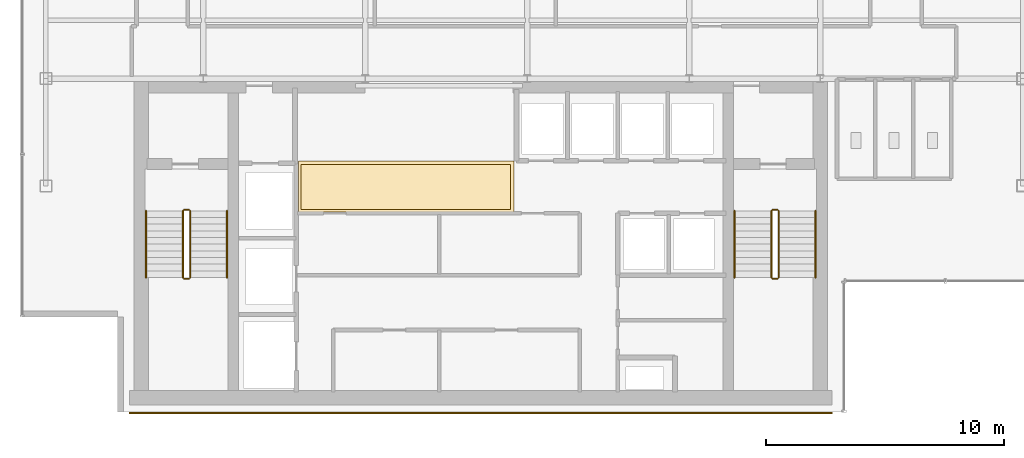
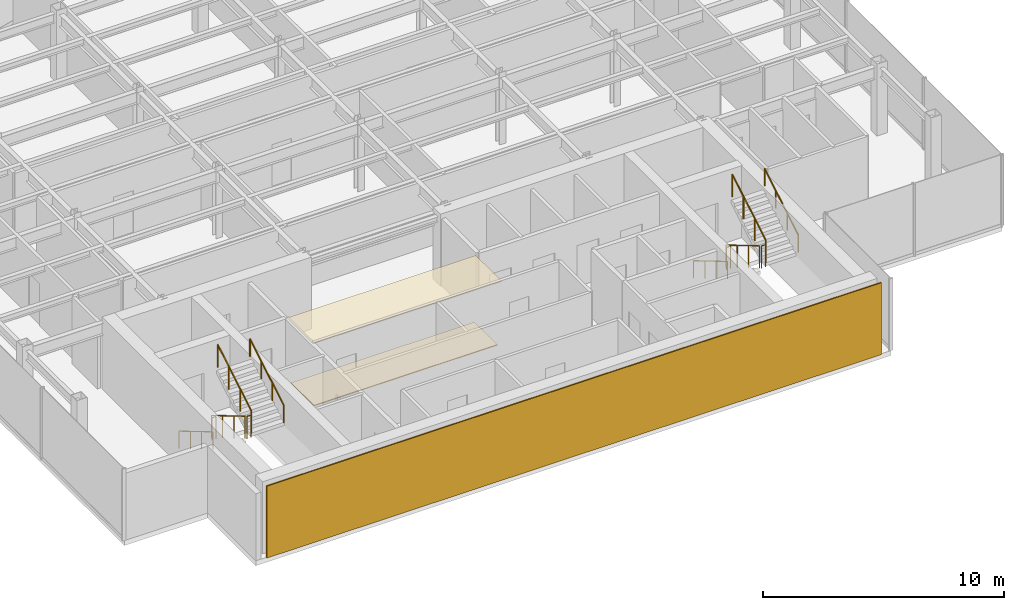
# One storey, part 20 of 22: 12 railings, 3 coverings.
"""IFC4 building model written with IfcOpenShell, lengths in metres."""

from ifc_helpers import new_model, si_unit, derived_unit, direction, frame, origin, origin_2d, place, context, subcontext, project, spatial, polyline, rectangle, circle, outline, extrude, source, transform, mapped, material, layer, layer_set, type_object, element, save


model = new_model("IFC4")

# Units and contexts
model_context = context("Model", 3, precision=1e-05, world=origin(), true_north=direction((0.0, 1.0)))
body_context = subcontext(model_context, "Body", "Model", "MODEL_VIEW")
ifc_project = project(units=[si_unit("LENGTHUNIT", "METRE"), si_unit("AREAUNIT", "SQUARE_METRE"), si_unit("VOLUMEUNIT", "CUBIC_METRE"), si_unit("PLANEANGLEUNIT", "RADIAN"), si_unit("MASSUNIT", "GRAM", prefix="KILO"), derived_unit("THERMALTRANSMITTANCEUNIT", [(si_unit("POWERUNIT", "WATT"), 1), (si_unit("LENGTHUNIT", "METRE"), -2), (si_unit("THERMODYNAMICTEMPERATUREUNIT", "KELVIN"), -1)])], contexts=[model_context])

# Site, building, storey
site_placement = place(None, origin())
site = spatial("IfcSite", under=ifc_project, at=site_placement, CompositionType="ELEMENT")
building_placement = place(site_placement, origin())
building = spatial("IfcBuilding", under=site, at=building_placement, Name="Skarnbrae Concourse Arena and Tower", CompositionType="ELEMENT")
storey_placement = place(building_placement, frame((0.0, 0.0, 251.5)))
storey = spatial("IfcBuildingStorey", under=building, at=storey_placement, Name="L65", CompositionType="ELEMENT", Elevation=251.5)

# Coverings
ifc_material_1 = material(Name="Mineral fibre acoustic ceiling tile", Category="other")
ifc_layer_1 = layer(ifc_material_1, 0.0400390625)
ifc_layer_set_1 = layer_set([ifc_layer_1], Name="Mineral fibre acoustic ceiling tile")
covering_type_1 = type_object("IfcCoveringType", Name="COV-CEIL-ACOUSTIC", PredefinedType="CEILING", material=ifc_layer_set_1)
covering_1_placement = place(storey_placement, frame((0.0, 0.0, 3.239990234375)))
element("IfcCovering", 1, at=covering_1_placement, inside=storey, type_object=covering_type_1, Name="L65 Lift lobby acoustic ceiling", PredefinedType="CEILING", context=body_context, shape_type="SweptSolid", body=[
    extrude(outline(polyline([(11.60009765625, 8.39990234375), (20.64990234375, 8.39990234375), (20.64990234375, 10.550048828125), (11.60009765625, 10.550048828125), (11.60009765625, 8.39990234375)])), origin(), (0.0, 0.0, 1.0), 0.0400390625),
])
ifc_material_2 = material(Name="Polished granite terrazzo flooring", Category="masonry")
ifc_layer_2 = layer(ifc_material_2, 0.0400390625)
ifc_layer_set_2 = layer_set([ifc_layer_2], Name="Polished granite terrazzo flooring")
covering_type_2 = type_object("IfcCoveringType", Name="COV-FLOOR-TERRAZZO", PredefinedType="FLOORING", material=ifc_layer_set_2)
covering_2_placement = place(storey_placement, origin())
element("IfcCovering", 2, at=covering_2_placement, inside=storey, type_object=covering_type_2, Name="L65 Lift lobby terrazzo flooring", PredefinedType="FLOORING", context=body_context, shape_type="SweptSolid", body=[
    extrude(outline(polyline([(11.699951171875, 8.5), (20.5, 8.5), (20.5, 10.39990234375), (11.699951171875, 10.39990234375), (11.699951171875, 8.5)])), origin(), (0.0, 0.0, 1.0), 0.0400390625),
])

# Railings
ifc_material_3 = material(Name="Steel CSA G40.21 350W", Category="steel")
railing_type_1 = type_object("IfcRailingType", Name="RAIL-HANDRAIL-900", PredefinedType="HANDRAIL", material=ifc_material_3)
railing_1_placement = place(storey_placement, frame((5.199951171875, 8.449951171875, 0.166015625)))
element("IfcRailing", 3, at=railing_1_placement, inside=storey, type_object=railing_type_1, Name="L65 ST-1 stair handrail 1", PredefinedType="HANDRAIL", context=body_context, shape_type="SweptSolid", body=[
    extrude(circle(Radius=0.02392578125, at=origin_2d()), frame((0.0, 0.0, 0.8759765625), z_axis=(0.0, -0.860339051648, 0.50972219513), x_axis=(1.0, 0.0, 0.0)), (0.0, 0.0, 1.0), 3.254638671875),
    extrude(circle(Radius=0.02099609375, at=origin_2d()), origin(), (0.0, 0.0, 1.0), 0.851806640625),
    extrude(circle(Radius=0.02099609375, at=origin_2d()), frame((0.0, -0.933349609375, 0.552978515625)), (0.0, 0.0, 1.0), 0.851806640625),
    extrude(circle(Radius=0.02099609375, at=origin_2d()), frame((0.0, -1.86669921875, 1.10595703125)), (0.0, 0.0, 1.0), 0.851806640625),
    extrude(circle(Radius=0.02099609375, at=origin_2d()), frame((0.0, -2.800048828125, 1.658935546875)), (0.0, 0.0, 1.0), 0.851806640625),
])
railing_2_placement = place(storey_placement, frame((8.60009765625, 5.64990234375, 1.990966796875)))
element("IfcRailing", 4, at=railing_2_placement, inside=storey, type_object=railing_type_1, Name="L65 ST-1 stair handrail 2", PredefinedType="HANDRAIL", context=body_context, shape_type="SweptSolid", body=[
    extrude(circle(Radius=0.02392578125, at=origin_2d()), frame((0.0, 0.0, 0.8759765625), z_axis=(0.0, 0.860339051648, 0.50972219513), x_axis=(-1.0, 0.0, 0.0)), (0.0, 0.0, 1.0), 3.254638671875),
    extrude(circle(Radius=0.02099609375, at=origin_2d()), origin(), (0.0, 0.0, 1.0), 0.851806640625),
    extrude(circle(Radius=0.02099609375, at=origin_2d()), frame((0.0, 0.933349609375, 0.552978515625)), (0.0, 0.0, 1.0), 0.851806640625),
    extrude(circle(Radius=0.02099609375, at=origin_2d()), frame((0.0, 1.86669921875, 1.10595703125)), (0.0, 0.0, 1.0), 0.851806640625),
    extrude(circle(Radius=0.02099609375, at=origin_2d()), frame((0.0, 2.800048828125, 1.658935546875)), (0.0, 0.0, 1.0), 0.851806640625),
])
railing_3_placement = place(storey_placement, frame((29.89990234375, 8.449951171875, 0.166015625)))
element("IfcRailing", 5, at=railing_3_placement, inside=storey, type_object=railing_type_1, Name="L65 ST-2 stair handrail 1", PredefinedType="HANDRAIL", context=body_context, shape_type="SweptSolid", body=[
    extrude(circle(Radius=0.02392578125, at=origin_2d()), frame((0.0, 0.0, 0.8759765625), z_axis=(0.0, -0.860339051648, 0.50972219513), x_axis=(1.0, 0.0, 0.0)), (0.0, 0.0, 1.0), 3.254638671875),
    extrude(circle(Radius=0.02099609375, at=origin_2d()), origin(), (0.0, 0.0, 1.0), 0.851806640625),
    extrude(circle(Radius=0.02099609375, at=origin_2d()), frame((0.0, -0.933349609375, 0.552978515625)), (0.0, 0.0, 1.0), 0.851806640625),
    extrude(circle(Radius=0.02099609375, at=origin_2d()), frame((0.0, -1.86669921875, 1.10595703125)), (0.0, 0.0, 1.0), 0.851806640625),
    extrude(circle(Radius=0.02099609375, at=origin_2d()), frame((0.0, -2.800048828125, 1.658935546875)), (0.0, 0.0, 1.0), 0.851806640625),
])
railing_4_placement = place(storey_placement, frame((33.300048828125, 5.64990234375, 1.990966796875)))
element("IfcRailing", 6, at=railing_4_placement, inside=storey, type_object=railing_type_1, Name="L65 ST-2 stair handrail 2", PredefinedType="HANDRAIL", context=body_context, shape_type="SweptSolid", body=[
    extrude(circle(Radius=0.02392578125, at=origin_2d()), frame((0.0, 0.0, 0.8759765625), z_axis=(0.0, 0.860339051648, 0.50972219513), x_axis=(-1.0, 0.0, 0.0)), (0.0, 0.0, 1.0), 3.254638671875),
    extrude(circle(Radius=0.02099609375, at=origin_2d()), origin(), (0.0, 0.0, 1.0), 0.851806640625),
    extrude(circle(Radius=0.02099609375, at=origin_2d()), frame((0.0, 0.933349609375, 0.552978515625)), (0.0, 0.0, 1.0), 0.851806640625),
    extrude(circle(Radius=0.02099609375, at=origin_2d()), frame((0.0, 1.86669921875, 1.10595703125)), (0.0, 0.0, 1.0), 0.851806640625),
    extrude(circle(Radius=0.02099609375, at=origin_2d()), frame((0.0, 2.800048828125, 1.658935546875)), (0.0, 0.0, 1.0), 0.851806640625),
])
railing_type_2 = type_object("IfcRailingType", Name="RAIL-STAIR-GUARD-1150", PredefinedType="GUARDRAIL", material=ifc_material_3)
railing_5_placement = place(storey_placement, frame((6.75, 8.449951171875, 0.166015625)))
element("IfcRailing", 7, at=railing_5_placement, inside=storey, type_object=railing_type_2, Name="L65 ST-1 stair guard 1", PredefinedType="GUARDRAIL", context=body_context, shape_type="SweptSolid", body=[
    extrude(circle(Radius=0.02392578125, at=origin_2d()), frame((0.0, 0.0, 1.1259765625), z_axis=(0.0, -0.860339051648, 0.50972219513), x_axis=(1.0, 0.0, 0.0)), (0.0, 0.0, 1.0), 3.254638671875),
    extrude(circle(Radius=0.02099609375, at=origin_2d()), origin(), (0.0, 0.0, 1.0), 1.101806640625),
    extrude(circle(Radius=0.02099609375, at=origin_2d()), frame((0.0, -0.933349609375, 0.552978515625)), (0.0, 0.0, 1.0), 1.101806640625),
    extrude(circle(Radius=0.02099609375, at=origin_2d()), frame((0.0, -1.86669921875, 1.10595703125)), (0.0, 0.0, 1.0), 1.101806640625),
    extrude(circle(Radius=0.02099609375, at=origin_2d()), frame((0.0, -2.800048828125, 1.658935546875)), (0.0, 0.0, 1.0), 1.101806640625),
])
railing_6_placement = place(storey_placement, frame((6.800048828125, 5.60009765625, 1.824951171875)))
element("IfcRailing", 8, at=railing_6_placement, inside=storey, type_object=railing_type_2, Name="L65 ST-1 stair guard 2", PredefinedType="GUARDRAIL", context=body_context, shape_type="SweptSolid", body=[
    extrude(circle(Radius=0.02392578125, at=origin_2d()), frame((0.0, 0.0, 1.1259765625), z_axis=(1.0, 0.0, 0.0), x_axis=(0.0, 1.0, 0.0)), (0.0, 0.0, 1.0), 0.199951171875),
    extrude(circle(Radius=0.02099609375, at=origin_2d()), origin(), (0.0, 0.0, 1.0), 1.101806640625),
    extrude(circle(Radius=0.02099609375, at=origin_2d()), frame((0.199951171875, 0.0, 0.0)), (0.0, 0.0, 1.0), 1.101806640625),
])
railing_7_placement = place(storey_placement, frame((7.050048828125, 5.64990234375, 1.990966796875)))
element("IfcRailing", 9, at=railing_7_placement, inside=storey, type_object=railing_type_2, Name="L65 ST-1 stair guard 3", PredefinedType="GUARDRAIL", context=body_context, shape_type="SweptSolid", body=[
    extrude(circle(Radius=0.02392578125, at=origin_2d()), frame((0.0, 0.0, 1.1259765625), z_axis=(0.0, 0.860339051648, 0.50972219513), x_axis=(-1.0, 0.0, 0.0)), (0.0, 0.0, 1.0), 3.254638671875),
    extrude(circle(Radius=0.02099609375, at=origin_2d()), origin(), (0.0, 0.0, 1.0), 1.101806640625),
    extrude(circle(Radius=0.02099609375, at=origin_2d()), frame((0.0, 0.933349609375, 0.552978515625)), (0.0, 0.0, 1.0), 1.101806640625),
    extrude(circle(Radius=0.02099609375, at=origin_2d()), frame((0.0, 1.86669921875, 1.10595703125)), (0.0, 0.0, 1.0), 1.101806640625),
    extrude(circle(Radius=0.02099609375, at=origin_2d()), frame((0.0, 2.800048828125, 1.658935546875)), (0.0, 0.0, 1.0), 1.101806640625),
])
railing_8_placement = place(storey_placement, frame((6.800048828125, 8.5, 0.0)))
element("IfcRailing", 10, at=railing_8_placement, inside=storey, type_object=railing_type_2, Name="L65 ST-1 stair guard 4", PredefinedType="GUARDRAIL", context=body_context, shape_type="SweptSolid", body=[
    extrude(circle(Radius=0.02392578125, at=origin_2d()), frame((0.0, 0.0, 1.1259765625), z_axis=(1.0, 0.0, 0.0), x_axis=(0.0, 1.0, 0.0)), (0.0, 0.0, 1.0), 0.199951171875),
    extrude(circle(Radius=0.02099609375, at=origin_2d()), origin(), (0.0, 0.0, 1.0), 1.101806640625),
    extrude(circle(Radius=0.02099609375, at=origin_2d()), frame((0.199951171875, 0.0, 0.0)), (0.0, 0.0, 1.0), 1.101806640625),
])
railing_9_placement = place(storey_placement, frame((31.449951171875, 8.449951171875, 0.166015625)))
element("IfcRailing", 11, at=railing_9_placement, inside=storey, type_object=railing_type_2, Name="L65 ST-2 stair guard 1", PredefinedType="GUARDRAIL", context=body_context, shape_type="SweptSolid", body=[
    extrude(circle(Radius=0.02392578125, at=origin_2d()), frame((0.0, 0.0, 1.1259765625), z_axis=(0.0, -0.860339051648, 0.50972219513), x_axis=(1.0, 0.0, 0.0)), (0.0, 0.0, 1.0), 3.254638671875),
    extrude(circle(Radius=0.02099609375, at=origin_2d()), origin(), (0.0, 0.0, 1.0), 1.101806640625),
    extrude(circle(Radius=0.02099609375, at=origin_2d()), frame((0.0, -0.933349609375, 0.552978515625)), (0.0, 0.0, 1.0), 1.101806640625),
    extrude(circle(Radius=0.02099609375, at=origin_2d()), frame((0.0, -1.86669921875, 1.10595703125)), (0.0, 0.0, 1.0), 1.101806640625),
    extrude(circle(Radius=0.02099609375, at=origin_2d()), frame((0.0, -2.800048828125, 1.658935546875)), (0.0, 0.0, 1.0), 1.101806640625),
])
railing_10_placement = place(storey_placement, frame((31.5, 5.60009765625, 1.824951171875)))
element("IfcRailing", 12, at=railing_10_placement, inside=storey, type_object=railing_type_2, Name="L65 ST-2 stair guard 2", PredefinedType="GUARDRAIL", context=body_context, shape_type="SweptSolid", body=[
    extrude(circle(Radius=0.02392578125, at=origin_2d()), frame((0.0, 0.0, 1.1259765625), z_axis=(1.0, 0.0, 0.0), x_axis=(0.0, 1.0, 0.0)), (0.0, 0.0, 1.0), 0.199951171875),
    extrude(circle(Radius=0.02099609375, at=origin_2d()), origin(), (0.0, 0.0, 1.0), 1.101806640625),
    extrude(circle(Radius=0.02099609375, at=origin_2d()), frame((0.199951171875, 0.0, 0.0)), (0.0, 0.0, 1.0), 1.101806640625),
])
railing_11_placement = place(storey_placement, frame((31.75, 5.64990234375, 1.990966796875)))
element("IfcRailing", 13, at=railing_11_placement, inside=storey, type_object=railing_type_2, Name="L65 ST-2 stair guard 3", PredefinedType="GUARDRAIL", context=body_context, shape_type="SweptSolid", body=[
    extrude(circle(Radius=0.02392578125, at=origin_2d()), frame((0.0, 0.0, 1.1259765625), z_axis=(0.0, 0.860339051648, 0.50972219513), x_axis=(-1.0, 0.0, 0.0)), (0.0, 0.0, 1.0), 3.254638671875),
    extrude(circle(Radius=0.02099609375, at=origin_2d()), origin(), (0.0, 0.0, 1.0), 1.101806640625),
    extrude(circle(Radius=0.02099609375, at=origin_2d()), frame((0.0, 0.933349609375, 0.552978515625)), (0.0, 0.0, 1.0), 1.101806640625),
    extrude(circle(Radius=0.02099609375, at=origin_2d()), frame((0.0, 1.86669921875, 1.10595703125)), (0.0, 0.0, 1.0), 1.101806640625),
    extrude(circle(Radius=0.02099609375, at=origin_2d()), frame((0.0, 2.800048828125, 1.658935546875)), (0.0, 0.0, 1.0), 1.101806640625),
])
railing_12_placement = place(storey_placement, frame((31.5, 8.5, 0.0)))
element("IfcRailing", 14, at=railing_12_placement, inside=storey, type_object=railing_type_2, Name="L65 ST-2 stair guard 4", PredefinedType="GUARDRAIL", context=body_context, shape_type="SweptSolid", body=[
    extrude(circle(Radius=0.02392578125, at=origin_2d()), frame((0.0, 0.0, 1.1259765625), z_axis=(1.0, 0.0, 0.0), x_axis=(0.0, 1.0, 0.0)), (0.0, 0.0, 1.0), 0.199951171875),
    extrude(circle(Radius=0.02099609375, at=origin_2d()), origin(), (0.0, 0.0, 1.0), 1.101806640625),
    extrude(circle(Radius=0.02099609375, at=origin_2d()), frame((0.199951171875, 0.0, 0.0)), (0.0, 0.0, 1.0), 1.101806640625),
])

# Covering
ifc_material_4 = material(Name="Bronze anodised aluminium 6063-T6", Category="aluminium")
ifc_layer_3 = layer(ifc_material_4, 0.06005859375)
ifc_layer_set_3 = layer_set([ifc_layer_3], Name="Bronze anodised aluminium 6063-T6")
covering_type_3 = type_object("IfcCoveringType", Name="COV-CLAD-BRONZE-60", PredefinedType="CLADDING", material=ifc_layer_set_3)
shared_shape = source(origin(), body_context, "Body", "SweptSolid", [
    extrude(rectangle(XDim=29.5, YDim=0.06005859375, at=origin_2d()), origin(), (0.0, 0.0, 1.0), 3.64990234375),
])
covering_3_placement = place(storey_placement, frame((19.25, -0.030029296875, 0.0), z_axis=(0.0, 0.0, 1.0), x_axis=(1.0, 0.0, 0.0)))
element("IfcCovering", 15, at=covering_3_placement, inside=storey, type_object=covering_type_3, Name="L65 Rear-core plumb spine bronze rainscreen panel", PredefinedType="CLADDING", context=body_context, shape_type="MappedRepresentation", body=[
    mapped(shared_shape, transform((0.0, 0.0, 0.0))),
])

save(model, "model.ifc")
